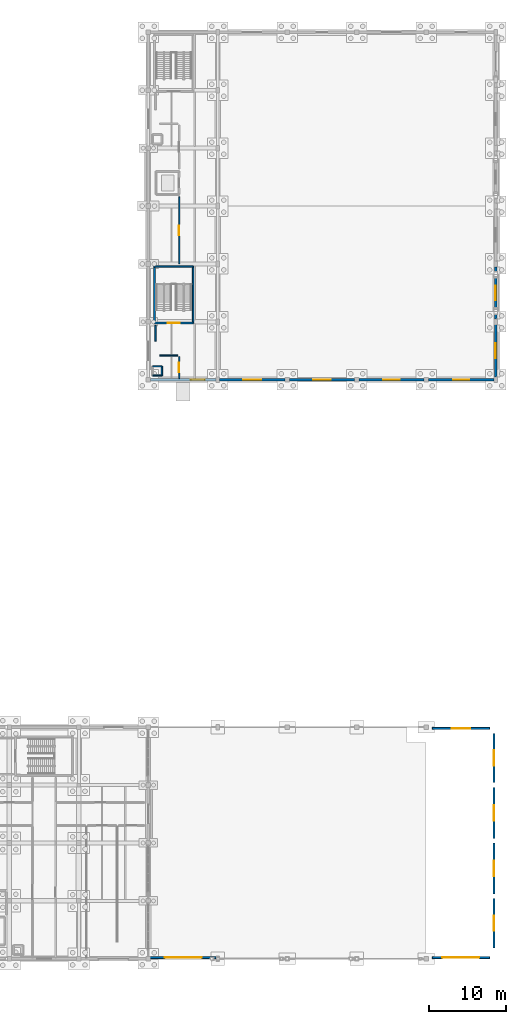
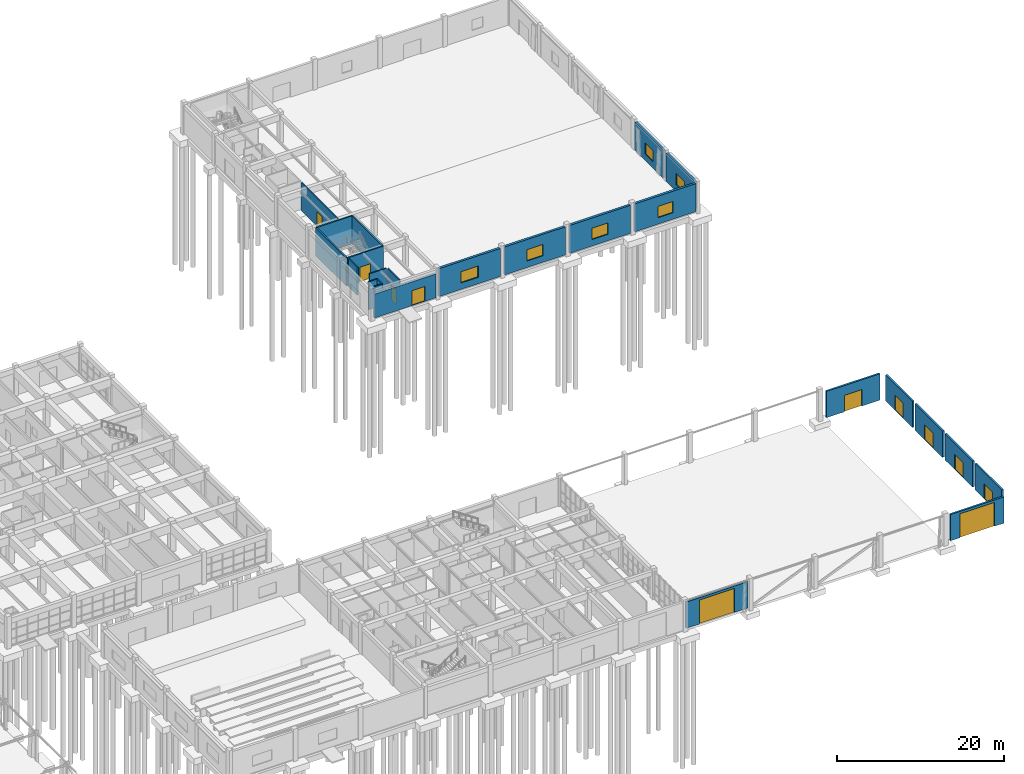
# One storey, part 87 of 93: 25 walls, 11 doors, 6 windows, 17 openings.
"""IFC4 building model written with IfcOpenShell, lengths in metres."""

from ifc_helpers import new_model, si_unit, direction, frame, frame_2d, origin, place, context, subcontext, project, spatial, rectangle, extrude, material, layer, layer_set, type_object, element, fill, save


model = new_model("IFC4")

# Units and contexts
model_context = context("Model", 3, precision=1e-05, world=origin(), true_north=direction((0.0, 1.0)))
body_context = subcontext(model_context, "Body", "Model", "MODEL_VIEW")
ifc_project = project(units=[si_unit("LENGTHUNIT", "METRE"), si_unit("AREAUNIT", "SQUARE_METRE"), si_unit("VOLUMEUNIT", "CUBIC_METRE"), si_unit("PLANEANGLEUNIT", "RADIAN"), si_unit("MASSUNIT", "GRAM", prefix="KILO")], contexts=[model_context])

# Site, building, storey
site_placement = place(None, origin())
site = spatial("IfcSite", under=ifc_project, at=site_placement, CompositionType="ELEMENT")
building_placement = place(site_placement, origin())
building = spatial("IfcBuilding", under=site, at=building_placement, Name="Marnridge Secondary College", CompositionType="ELEMENT")
storey_placement = place(building_placement, origin())
storey = spatial("IfcBuildingStorey", under=building, at=storey_placement, Name="L00", CompositionType="ELEMENT", Elevation=0.0)

# Wall, opening, door
ifc_material_1 = material(Name="Concrete C40/50 (AS 3600 N40, 40 MPa)", Category="concrete")
ifc_layer_1 = layer(ifc_material_1, 0.199951171875)
ifc_layer_set_1 = layer_set([ifc_layer_1], Name="WT-CORE-RC200")
wall_type_1 = type_object("IfcWallType", Name="WT-CORE-RC200", PredefinedType="SHEAR", material=ifc_layer_set_1)
wall_1_placement = place(storey_placement, frame((131.800048828125, 82.35009765625, 0.0), z_axis=(0.0, 0.0, 1.0), x_axis=(-1.0, 0.0, 0.0)))
wall_1 = element("IfcWall", 1, at=wall_1_placement, inside=storey, type_object=wall_type_1, Name="Stair core shear wall WC-L00-0393", PredefinedType="SHEAR", context=body_context, shape_type="SweptSolid", body=[
    extrude(rectangle(XDim=5.0, YDim=0.199951171875, at=frame_2d((2.5, 0.0))), origin(), (0.0, 0.0, 1.0), 4.10009765625),
])
opening_1_placement = place(wall_1_placement, frame((1.75, 0.0, 0.0)))
opening_1 = element("IfcOpeningElement", 2, at=opening_1_placement, cuts=wall_1, Name="Opening DC-L00-037", PredefinedType="OPENING", context=body_context, shape_type="SweptSolid", body=[
    extrude(rectangle(XDim=1.5, YDim=2.14990234375, at=frame_2d((0.75, 1.074951171875))), frame((0.0, 0.10986328125, 0.0), z_axis=(0.0, -1.0, 0.0), x_axis=(1.0, 0.0, 0.0)), (0.0, 0.0, 1.0), 0.219970703125),
])
ifc_material_2 = material(Name="Fire-rated solid-core timber doorset", Category="wood")
door_type_1 = type_object("IfcDoorType", Name="DT-CORE-FD150", OperationType="DOUBLE_DOOR_SINGLE_SWING", PredefinedType="DOOR", material=ifc_material_2)
door_1_placement = place(opening_1_placement, origin())
door_1 = element("IfcDoor", 3, at=door_1_placement, inside=storey, type_object=door_type_1, Name="Fire stair door DC-L00-037", OperationType="DOUBLE_DOOR_SINGLE_SWING", OverallHeight=2.14990234375, OverallWidth=1.5, PredefinedType="DOOR", context=body_context, shape_type="SweptSolid", body=[
    extrude(rectangle(XDim=1.5, YDim=2.14990234375, at=frame_2d((0.75, 1.074951171875))), frame((0.0, 0.02490234375, 0.0), z_axis=(0.0, -1.0, 0.0), x_axis=(1.0, 0.0, 0.0)), (0.0, 0.0, 1.0), 0.050048828125),
])
fill(opening_1, door_1)

# Walls
wall_2_placement = place(storey_placement, frame((131.800048828125, 82.35009765625, 0.0), z_axis=(0.0, 0.0, 1.0), x_axis=(0.0, 1.0, 0.0)))
element("IfcWall", 4, at=wall_2_placement, inside=storey, type_object=wall_type_1, Name="Stair core shear wall WC-L00-0394", PredefinedType="SHEAR", context=body_context, shape_type="SweptSolid", body=[
    extrude(rectangle(XDim=7.349853515625, YDim=0.199951171875, at=frame_2d((3.6748046875, 0.0))), origin(), (0.0, 0.0, 1.0), 4.10009765625),
])
wall_3_placement = place(storey_placement, frame((131.800048828125, 89.699951171875, 0.0), z_axis=(0.0, 0.0, 1.0), x_axis=(-1.0, 0.0, 0.0)))
element("IfcWall", 5, at=wall_3_placement, inside=storey, type_object=wall_type_1, Name="Stair core shear wall WC-L00-0395", PredefinedType="SHEAR", context=body_context, shape_type="SweptSolid", body=[
    extrude(rectangle(XDim=5.0, YDim=0.199951171875, at=frame_2d((2.5, 0.0))), origin(), (0.0, 0.0, 1.0), 4.10009765625),
])
wall_4_placement = place(storey_placement, frame((126.800048828125, 89.699951171875, 0.0), z_axis=(0.0, 0.0, 1.0), x_axis=(0.0, -1.0, 0.0)))
element("IfcWall", 6, at=wall_4_placement, inside=storey, type_object=wall_type_1, Name="Stair core shear wall WC-L00-0396", PredefinedType="SHEAR", context=body_context, shape_type="SweptSolid", body=[
    extrude(rectangle(XDim=7.349853515625, YDim=0.199951171875, at=frame_2d((3.6748046875, 0.0))), origin(), (0.0, 0.0, 1.0), 4.10009765625),
])

# Wall, opening, door
ifc_material_3 = material(Name="Concrete C40/50 (AS 3600 N40, 40 MPa)", Category="concrete")
ifc_layer_2 = layer(ifc_material_3, 0.25)
ifc_layer_set_2 = layer_set([ifc_layer_2], Name="WT-EXT-RC250")
wall_type_2 = type_object("IfcWallType", Name="WT-EXT-RC250", PredefinedType="SOLIDWALL", material=ifc_layer_set_2)
wall_5_placement = place(storey_placement, frame((134.800048828125, 0.14990234375, 0.0), z_axis=(0.0, 0.0, 1.0), x_axis=(-1.0, 0.0, 0.0)))
wall_5 = element("IfcWall", 7, at=wall_5_placement, inside=storey, type_object=wall_type_2, Name="Undercroft portal wall WE-LOOP-S1", PredefinedType="SOLIDWALL", context=body_context, shape_type="SweptSolid", body=[
    extrude(rectangle(XDim=8.60009765625, YDim=0.25, at=frame_2d((4.300048828125, 0.0))), origin(), (0.0, 0.0, 1.0), 3.85009765625),
])
opening_2_placement = place(wall_5_placement, frame((1.89990234375, 0.0, 0.0)))
opening_2 = element("IfcOpeningElement", 8, at=opening_2_placement, cuts=wall_5, Name="Opening VP-01", PredefinedType="OPENING", context=body_context, shape_type="SweptSolid", body=[
    extrude(rectangle(XDim=4.800048828125, YDim=3.5, at=frame_2d((2.39990234375, 1.75))), frame((0.0, 0.135009765625, 0.0), z_axis=(0.0, -1.0, 0.0), x_axis=(1.0, 0.0, 0.0)), (0.0, 0.0, 1.0), 0.27001953125),
])
ifc_material_4 = material(Name="Perforated powder-coated aluminium vehicle portal gate", Category="aluminium")
door_type_2 = type_object("IfcDoorType", Name="GT-VEH-480", OperationType="SLIDING_TO_LEFT", PredefinedType="GATE", material=ifc_material_4)
door_2_placement = place(opening_2_placement, origin())
door_2 = element("IfcDoor", 9, at=door_2_placement, inside=storey, type_object=door_type_2, Name="Vehicle loop entry portal VP-01", OperationType="SLIDING_TO_LEFT", OverallHeight=3.5, OverallWidth=4.800048828125, PredefinedType="GATE", context=body_context, shape_type="SweptSolid", body=[
    extrude(rectangle(XDim=4.800048828125, YDim=3.5, at=frame_2d((2.39990234375, 1.75))), frame((0.0, 0.02490234375, 0.0), z_axis=(0.0, -1.0, 0.0), x_axis=(1.0, 0.0, 0.0)), (0.0, 0.0, 1.0), 0.050048828125),
])
fill(opening_2, door_2)

wall_6_placement = place(storey_placement, frame((170.199951171875, 0.14990234375, 0.0), z_axis=(0.0, 0.0, 1.0), x_axis=(-1.0, 0.0, 0.0)))
wall_6 = element("IfcWall", 10, at=wall_6_placement, inside=storey, type_object=wall_type_2, Name="Undercroft portal wall WE-LOOP-S2", PredefinedType="SOLIDWALL", context=body_context, shape_type="SweptSolid", body=[
    extrude(rectangle(XDim=7.39990234375, YDim=0.25, at=frame_2d((3.699951171875, 0.0))), origin(), (0.0, 0.0, 1.0), 3.85009765625),
])
opening_3_placement = place(wall_6_placement, frame((1.300048828125, 0.0, 0.0)))
opening_3 = element("IfcOpeningElement", 11, at=opening_3_placement, cuts=wall_6, Name="Opening VP-02", PredefinedType="OPENING", context=body_context, shape_type="SweptSolid", body=[
    extrude(rectangle(XDim=4.800048828125, YDim=3.5, at=frame_2d((2.39990234375, 1.75))), frame((0.0, 0.135009765625, 0.0), z_axis=(0.0, -1.0, 0.0), x_axis=(1.0, 0.0, 0.0)), (0.0, 0.0, 1.0), 0.27001953125),
])
door_3_placement = place(opening_3_placement, origin())
door_3 = element("IfcDoor", 12, at=door_3_placement, inside=storey, type_object=door_type_2, Name="Vehicle loop exit portal VP-02", OperationType="SLIDING_TO_LEFT", OverallHeight=3.5, OverallWidth=4.800048828125, PredefinedType="GATE", context=body_context, shape_type="SweptSolid", body=[
    extrude(rectangle(XDim=4.800048828125, YDim=3.5, at=frame_2d((2.39990234375, 1.75))), frame((0.0, 0.02490234375, 0.0), z_axis=(0.0, -1.0, 0.0), x_axis=(1.0, 0.0, 0.0)), (0.0, 0.0, 1.0), 0.050048828125),
])
fill(opening_3, door_3)

wall_7_placement = place(storey_placement, frame((170.800048828125, 29.199951171875, 0.0), z_axis=(0.0, 0.0, 1.0), x_axis=(0.0, -1.0, 0.0)))
wall_7 = element("IfcWall", 13, at=wall_7_placement, inside=storey, type_object=wall_type_2, Name="Undercroft portal wall WE-LOOP-E1", PredefinedType="SOLIDWALL", context=body_context, shape_type="SweptSolid", body=[
    extrude(rectangle(XDim=6.39990234375, YDim=0.25, at=frame_2d((3.199951171875, 0.0))), origin(), (0.0, 0.0, 1.0), 3.85009765625),
])
opening_4_placement = place(wall_7_placement, frame((2.199951171875, 0.0, 0.0)))
opening_4 = element("IfcOpeningElement", 14, at=opening_4_placement, cuts=wall_7, Name="Opening GT-04", PredefinedType="OPENING", context=body_context, shape_type="SweptSolid", body=[
    extrude(rectangle(XDim=2.0, YDim=2.199951171875, at=frame_2d((1.0, 1.10009765625))), frame((0.0, 0.135009765625, 0.0), z_axis=(0.0, -1.0, 0.0), x_axis=(1.0, 0.0, 0.0)), (0.0, 0.0, 1.0), 0.27001953125),
])
ifc_material_5 = material(Name="Powder-coated steel Grade 350 plant yard gate", Category="steel")
door_type_3 = type_object("IfcDoorType", Name="GT-YARD-200", OperationType="DOUBLE_DOOR_SINGLE_SWING", PredefinedType="GATE", material=ifc_material_5)
door_4_placement = place(opening_4_placement, origin())
door_4 = element("IfcDoor", 15, at=door_4_placement, inside=storey, type_object=door_type_3, Name="Service yard gate GT-04", OperationType="DOUBLE_DOOR_SINGLE_SWING", OverallHeight=2.199951171875, OverallWidth=2.0, PredefinedType="GATE", context=body_context, shape_type="SweptSolid", body=[
    extrude(rectangle(XDim=2.0, YDim=2.199951171875, at=frame_2d((1.0, 1.10009765625))), frame((0.0, 0.02490234375, 0.0), z_axis=(0.0, -1.0, 0.0), x_axis=(1.0, 0.0, 0.0)), (0.0, 0.0, 1.0), 0.050048828125),
])
fill(opening_4, door_4)

wall_8_placement = place(storey_placement, frame((170.800048828125, 22.199951171875, 0.0), z_axis=(0.0, 0.0, 1.0), x_axis=(0.0, -1.0, 0.0)))
wall_8 = element("IfcWall", 16, at=wall_8_placement, inside=storey, type_object=wall_type_2, Name="Undercroft portal wall WE-LOOP-E2", PredefinedType="SOLIDWALL", context=body_context, shape_type="SweptSolid", body=[
    extrude(rectangle(XDim=6.599853515625, YDim=0.25, at=frame_2d((3.2998046875, 0.0))), origin(), (0.0, 0.0, 1.0), 3.85009765625),
])
opening_5_placement = place(wall_8_placement, frame((2.300048828125, 0.0, 0.0)))
opening_5 = element("IfcOpeningElement", 17, at=opening_5_placement, cuts=wall_8, Name="Opening GT-05", PredefinedType="OPENING", context=body_context, shape_type="SweptSolid", body=[
    extrude(rectangle(XDim=2.0, YDim=2.199951171875, at=frame_2d((1.0, 1.10009765625))), frame((0.0, 0.135009765625, 0.0), z_axis=(0.0, -1.0, 0.0), x_axis=(1.0, 0.0, 0.0)), (0.0, 0.0, 1.0), 0.27001953125),
])
door_5_placement = place(opening_5_placement, origin())
door_5 = element("IfcDoor", 18, at=door_5_placement, inside=storey, type_object=door_type_3, Name="Service yard gate GT-05", OperationType="DOUBLE_DOOR_SINGLE_SWING", OverallHeight=2.199951171875, OverallWidth=2.0, PredefinedType="GATE", context=body_context, shape_type="SweptSolid", body=[
    extrude(rectangle(XDim=2.0, YDim=2.199951171875, at=frame_2d((1.0, 1.10009765625))), frame((0.0, 0.02490234375, 0.0), z_axis=(0.0, -1.0, 0.0), x_axis=(1.0, 0.0, 0.0)), (0.0, 0.0, 1.0), 0.050048828125),
])
fill(opening_5, door_5)

wall_9_placement = place(storey_placement, frame((170.800048828125, 15.0, 0.0), z_axis=(0.0, 0.0, 1.0), x_axis=(0.0, -1.0, 0.0)))
wall_9 = element("IfcWall", 19, at=wall_9_placement, inside=storey, type_object=wall_type_2, Name="Undercroft portal wall WE-LOOP-E3", PredefinedType="SOLIDWALL", context=body_context, shape_type="SweptSolid", body=[
    extrude(rectangle(XDim=6.60009765625, YDim=0.25, at=frame_2d((3.300048828125, 0.0))), origin(), (0.0, 0.0, 1.0), 3.85009765625),
])
opening_6_placement = place(wall_9_placement, frame((2.300048828125, 0.0, 0.0)))
opening_6 = element("IfcOpeningElement", 20, at=opening_6_placement, cuts=wall_9, Name="Opening GT-06", PredefinedType="OPENING", context=body_context, shape_type="SweptSolid", body=[
    extrude(rectangle(XDim=2.0, YDim=2.199951171875, at=frame_2d((1.0, 1.10009765625))), frame((0.0, 0.135009765625, 0.0), z_axis=(0.0, -1.0, 0.0), x_axis=(1.0, 0.0, 0.0)), (0.0, 0.0, 1.0), 0.27001953125),
])
door_6_placement = place(opening_6_placement, origin())
door_6 = element("IfcDoor", 21, at=door_6_placement, inside=storey, type_object=door_type_3, Name="Plant compound gate GT-06", OperationType="DOUBLE_DOOR_SINGLE_SWING", OverallHeight=2.199951171875, OverallWidth=2.0, PredefinedType="GATE", context=body_context, shape_type="SweptSolid", body=[
    extrude(rectangle(XDim=2.0, YDim=2.199951171875, at=frame_2d((1.0, 1.10009765625))), frame((0.0, 0.02490234375, 0.0), z_axis=(0.0, -1.0, 0.0), x_axis=(1.0, 0.0, 0.0)), (0.0, 0.0, 1.0), 0.050048828125),
])
fill(opening_6, door_6)

wall_10_placement = place(storey_placement, frame((170.800048828125, 7.800048828125, 0.0), z_axis=(0.0, 0.0, 1.0), x_axis=(0.0, -1.0, 0.0)))
wall_10 = element("IfcWall", 22, at=wall_10_placement, inside=storey, type_object=wall_type_2, Name="Undercroft portal wall WE-LOOP-E4", PredefinedType="SOLIDWALL", context=body_context, shape_type="SweptSolid", body=[
    extrude(rectangle(XDim=6.400146484375, YDim=0.25, at=frame_2d((3.2001953125, 0.0))), origin(), (0.0, 0.0, 1.0), 3.85009765625),
])
opening_7_placement = place(wall_10_placement, frame((2.199951171875, 0.0, 0.0)))
opening_7 = element("IfcOpeningElement", 23, at=opening_7_placement, cuts=wall_10, Name="Opening GT-08", PredefinedType="OPENING", context=body_context, shape_type="SweptSolid", body=[
    extrude(rectangle(XDim=2.0, YDim=2.199951171875, at=frame_2d((1.0, 1.10009765625))), frame((0.0, 0.135009765625, 0.0), z_axis=(0.0, -1.0, 0.0), x_axis=(1.0, 0.0, 0.0)), (0.0, 0.0, 1.0), 0.27001953125),
])
door_7_placement = place(opening_7_placement, origin())
door_7 = element("IfcDoor", 24, at=door_7_placement, inside=storey, type_object=door_type_3, Name="Refuse yard gate GT-08", OperationType="DOUBLE_DOOR_SINGLE_SWING", OverallHeight=2.199951171875, OverallWidth=2.0, PredefinedType="GATE", context=body_context, shape_type="SweptSolid", body=[
    extrude(rectangle(XDim=2.0, YDim=2.199951171875, at=frame_2d((1.0, 1.10009765625))), frame((0.0, 0.02490234375, 0.0), z_axis=(0.0, -1.0, 0.0), x_axis=(1.0, 0.0, 0.0)), (0.0, 0.0, 1.0), 0.050048828125),
])
fill(opening_7, door_7)

wall_11_placement = place(storey_placement, frame((162.800048828125, 29.85009765625, 0.0), z_axis=(0.0, 0.0, 1.0), x_axis=(1.0, 0.0, 0.0)))
wall_11 = element("IfcWall", 25, at=wall_11_placement, inside=storey, type_object=wall_type_2, Name="Undercroft portal wall WE-LOOP-N1", PredefinedType="SOLIDWALL", context=body_context, shape_type="SweptSolid", body=[
    extrude(rectangle(XDim=7.39990234375, YDim=0.25, at=frame_2d((3.699951171875, 0.0))), origin(), (0.0, 0.0, 1.0), 3.85009765625),
])
opening_8_placement = place(wall_11_placement, frame((2.5, 0.0, 0.0)))
opening_8 = element("IfcOpeningElement", 26, at=opening_8_placement, cuts=wall_11, Name="Opening GT-07", PredefinedType="OPENING", context=body_context, shape_type="SweptSolid", body=[
    extrude(rectangle(XDim=2.39990234375, YDim=2.39990234375, at=frame_2d((1.199951171875, 1.199951171875))), frame((0.0, 0.135009765625, 0.0), z_axis=(0.0, -1.0, 0.0), x_axis=(1.0, 0.0, 0.0)), (0.0, 0.0, 1.0), 0.27001953125),
])
ifc_material_6 = material(Name="Galvanised steel Grade 350 bicycle hub security gate", Category="steel")
door_type_4 = type_object("IfcDoorType", Name="GT-BIKE-240", OperationType="DOUBLE_DOOR_SINGLE_SWING", PredefinedType="GATE", material=ifc_material_6)
door_8_placement = place(opening_8_placement, origin())
door_8 = element("IfcDoor", 27, at=door_8_placement, inside=storey, type_object=door_type_4, Name="Cycle compound gate GT-07", OperationType="DOUBLE_DOOR_SINGLE_SWING", OverallHeight=2.39990234375, OverallWidth=2.39990234375, PredefinedType="GATE", context=body_context, shape_type="SweptSolid", body=[
    extrude(rectangle(XDim=2.39990234375, YDim=2.39990234375, at=frame_2d((1.199951171875, 1.199951171875))), frame((0.0, 0.02490234375, 0.0), z_axis=(0.0, -1.0, 0.0), x_axis=(1.0, 0.0, 0.0)), (0.0, 0.0, 1.0), 0.050048828125),
])
fill(opening_8, door_8)

# Wall, opening, window
ifc_material_7 = material(Name="Concrete C40/50 (AS 3600 N40, 40 MPa)", Category="concrete")
ifc_layer_3 = layer(ifc_material_7, 0.320068359375)
ifc_layer_set_3 = layer_set([ifc_layer_3], Name="WT-EXT-RC320")
wall_type_3 = type_object("IfcWallType", Name="WT-EXT-RC320", PredefinedType="SOLIDWALL", material=ifc_layer_set_3)
wall_12_placement = place(storey_placement, frame((171.0, 89.62890625, 0.0), z_axis=(0.0, 0.0, 1.0), x_axis=(0.0, -1.0, 0.0)))
wall_12 = element("IfcWall", 28, at=wall_12_placement, inside=storey, type_object=wall_type_3, Name="Exterior wall WE-L00-0022", PredefinedType="SOLIDWALL", context=body_context, shape_type="SweptSolid", body=[
    extrude(rectangle(XDim=6.7578125, YDim=0.320068359375, at=frame_2d((3.37890625, 0.0))), origin(), (0.0, 0.0, 1.0), 4.10009765625),
])
opening_9_placement = place(wall_12_placement, frame((2.43896484375, 0.0, 0.949951171875)))
opening_9 = element("IfcOpeningElement", 29, at=opening_9_placement, cuts=wall_12, Name="Opening WN-L00-0008", PredefinedType="OPENING", context=body_context, shape_type="SweptSolid", body=[
    extrude(rectangle(XDim=1.8798828125, YDim=1.6201171875, at=frame_2d((0.93994140625, 0.81005859375))), frame((0.0, 0.169921875, 0.0), z_axis=(0.0, -1.0, 0.0), x_axis=(1.0, 0.0, 0.0)), (0.0, 0.0, 1.0), 0.340087890625),
])
ifc_material_8 = material(Name="Solar-control low-E double glazing", Category="glass")
window_type_1 = type_object("IfcWindowType", Name="WN-EXT-V08", PartitioningType="DOUBLE_PANEL_VERTICAL", PredefinedType="WINDOW", material=ifc_material_8)
window_1_placement = place(opening_9_placement, origin())
window_1 = element("IfcWindow", 30, at=window_1_placement, inside=storey, type_object=window_type_1, Name="Facade window WN-L00-0008", OverallHeight=1.6201171875, OverallWidth=1.8798828125, PartitioningType="DOUBLE_PANEL_VERTICAL", PredefinedType="WINDOW", context=body_context, shape_type="SweptSolid", body=[
    extrude(rectangle(XDim=1.8798828125, YDim=1.6201171875, at=frame_2d((0.93994140625, 0.81005859375))), frame((0.0, 0.030029296875, 0.0), z_axis=(0.0, -1.0, 0.0), x_axis=(1.0, 0.0, 0.0)), (0.0, 0.0, 1.0), 0.06005859375),
])
fill(opening_9, window_1)

wall_13_placement = place(storey_placement, frame((171.0, 82.12890625, 0.0), z_axis=(0.0, 0.0, 1.0), x_axis=(0.0, -1.0, 0.0)))
wall_13 = element("IfcWall", 31, at=wall_13_placement, inside=storey, type_object=wall_type_3, Name="Exterior wall WE-L00-0023", PredefinedType="SOLIDWALL", context=body_context, shape_type="SweptSolid", body=[
    extrude(rectangle(XDim=6.7578125, YDim=0.320068359375, at=frame_2d((3.37890625, 0.0))), origin(), (0.0, 0.0, 1.0), 4.10009765625),
])
opening_10_placement = place(wall_13_placement, frame((2.388916015625, 0.0, 0.949951171875)))
opening_10 = element("IfcOpeningElement", 32, at=opening_10_placement, cuts=wall_13, Name="Opening WN-L00-0009", PredefinedType="OPENING", context=body_context, shape_type="SweptSolid", body=[
    extrude(rectangle(XDim=1.97998046875, YDim=1.639892578125, at=frame_2d((0.989990234375, 0.81982421875))), frame((0.0, 0.169921875, 0.0), z_axis=(0.0, -1.0, 0.0), x_axis=(1.0, 0.0, 0.0)), (0.0, 0.0, 1.0), 0.340087890625),
])
ifc_material_9 = material(Name="Solar-control low-E double glazing", Category="glass")
window_type_2 = type_object("IfcWindowType", Name="WN-EXT-V09", PartitioningType="DOUBLE_PANEL_VERTICAL", PredefinedType="WINDOW", material=ifc_material_9)
window_2_placement = place(opening_10_placement, origin())
window_2 = element("IfcWindow", 33, at=window_2_placement, inside=storey, type_object=window_type_2, Name="Facade window WN-L00-0009", OverallHeight=1.639892578125, OverallWidth=1.97998046875, PartitioningType="DOUBLE_PANEL_VERTICAL", PredefinedType="WINDOW", context=body_context, shape_type="SweptSolid", body=[
    extrude(rectangle(XDim=1.97998046875, YDim=1.639892578125, at=frame_2d((0.989990234375, 0.81982421875))), frame((0.0, 0.030029296875, 0.0), z_axis=(0.0, -1.0, 0.0), x_axis=(1.0, 0.0, 0.0)), (0.0, 0.0, 1.0), 0.06005859375),
])
fill(opening_10, window_2)

wall_14_placement = place(storey_placement, frame((170.779052734375, 75.0, 0.0), z_axis=(0.0, 0.0, 1.0), x_axis=(-1.0, 0.0, 0.0)))
wall_14 = element("IfcWall", 34, at=wall_14_placement, inside=storey, type_object=wall_type_3, Name="Exterior wall WE-L00-0024", PredefinedType="SOLIDWALL", context=body_context, shape_type="SweptSolid", body=[
    extrude(rectangle(XDim=8.483154296875, YDim=0.320068359375, at=frame_2d((4.24169921875, 0.0))), origin(), (0.0, 0.0, 1.0), 4.10009765625),
])
opening_11_placement = place(wall_14_placement, frame((3.201416015625, 0.0, 0.949951171875)))
opening_11 = element("IfcOpeningElement", 35, at=opening_11_placement, cuts=wall_14, Name="Opening WN-L00-0010", PredefinedType="OPENING", context=body_context, shape_type="SweptSolid", body=[
    extrude(rectangle(XDim=2.080078125, YDim=1.64990234375, at=frame_2d((1.0400390625, 0.824951171875))), frame((0.0, 0.169921875, 0.0), z_axis=(0.0, -1.0, 0.0), x_axis=(1.0, 0.0, 0.0)), (0.0, 0.0, 1.0), 0.340087890625),
])
ifc_material_10 = material(Name="Solar-control low-E double glazing", Category="glass")
window_type_3 = type_object("IfcWindowType", Name="WN-EXT-V10", PartitioningType="DOUBLE_PANEL_VERTICAL", PredefinedType="WINDOW", material=ifc_material_10)
window_3_placement = place(opening_11_placement, origin())
window_3 = element("IfcWindow", 36, at=window_3_placement, inside=storey, type_object=window_type_3, Name="Facade window WN-L00-0010", OverallHeight=1.64990234375, OverallWidth=2.080078125, PartitioningType="DOUBLE_PANEL_VERTICAL", PredefinedType="WINDOW", context=body_context, shape_type="SweptSolid", body=[
    extrude(rectangle(XDim=2.080078125, YDim=1.64990234375, at=frame_2d((1.0400390625, 0.824951171875))), frame((0.0, 0.030029296875, 0.0), z_axis=(0.0, -1.0, 0.0), x_axis=(1.0, 0.0, 0.0)), (0.0, 0.0, 1.0), 0.06005859375),
])
fill(opening_11, window_3)

wall_15_placement = place(storey_placement, frame((161.7041015625, 75.0, 0.0), z_axis=(0.0, 0.0, 1.0), x_axis=(-1.0, 0.0, 0.0)))
wall_15 = element("IfcWall", 37, at=wall_15_placement, inside=storey, type_object=wall_type_3, Name="Exterior wall WE-L00-0025", PredefinedType="SOLIDWALL", context=body_context, shape_type="SweptSolid", body=[
    extrude(rectangle(XDim=8.408203125, YDim=0.320068359375, at=frame_2d((4.2041015625, 0.0))), origin(), (0.0, 0.0, 1.0), 4.10009765625),
])
opening_12_placement = place(wall_15_placement, frame((3.114013671875, 0.0, 0.949951171875)))
opening_12 = element("IfcOpeningElement", 38, at=opening_12_placement, cuts=wall_15, Name="Opening WN-L00-0011", PredefinedType="OPENING", context=body_context, shape_type="SweptSolid", body=[
    extrude(rectangle(XDim=2.179931640625, YDim=1.659912109375, at=frame_2d((1.08984375, 0.830078125))), frame((0.0, 0.169921875, 0.0), z_axis=(0.0, -1.0, 0.0), x_axis=(1.0, 0.0, 0.0)), (0.0, 0.0, 1.0), 0.340087890625),
])
ifc_material_11 = material(Name="Solar-control low-E double glazing", Category="glass")
window_type_4 = type_object("IfcWindowType", Name="WN-EXT-V11", PartitioningType="DOUBLE_PANEL_VERTICAL", PredefinedType="WINDOW", material=ifc_material_11)
window_4_placement = place(opening_12_placement, origin())
window_4 = element("IfcWindow", 39, at=window_4_placement, inside=storey, type_object=window_type_4, Name="Facade window WN-L00-0011", OverallHeight=1.659912109375, OverallWidth=2.179931640625, PartitioningType="DOUBLE_PANEL_VERTICAL", PredefinedType="WINDOW", context=body_context, shape_type="SweptSolid", body=[
    extrude(rectangle(XDim=2.179931640625, YDim=1.659912109375, at=frame_2d((1.08984375, 0.830078125))), frame((0.0, 0.030029296875, 0.0), z_axis=(0.0, -1.0, 0.0), x_axis=(1.0, 0.0, 0.0)), (0.0, 0.0, 1.0), 0.06005859375),
])
fill(opening_12, window_4)

wall_16_placement = place(storey_placement, frame((152.7041015625, 75.0, 0.0), z_axis=(0.0, 0.0, 1.0), x_axis=(-1.0, 0.0, 0.0)))
wall_16 = element("IfcWall", 40, at=wall_16_placement, inside=storey, type_object=wall_type_3, Name="Exterior wall WE-L00-0026", PredefinedType="SOLIDWALL", context=body_context, shape_type="SweptSolid", body=[
    extrude(rectangle(XDim=8.408203125, YDim=0.320068359375, at=frame_2d((4.2041015625, 0.0))), origin(), (0.0, 0.0, 1.0), 4.10009765625),
])
opening_13_placement = place(wall_16_placement, frame((3.06396484375, 0.0, 0.949951171875)))
opening_13 = element("IfcOpeningElement", 41, at=opening_13_placement, cuts=wall_16, Name="Opening WN-L00-0012", PredefinedType="OPENING", context=body_context, shape_type="SweptSolid", body=[
    extrude(rectangle(XDim=2.280029296875, YDim=1.659912109375, at=frame_2d((1.14013671875, 0.830078125))), frame((0.0, 0.169921875, 0.0), z_axis=(0.0, -1.0, 0.0), x_axis=(1.0, 0.0, 0.0)), (0.0, 0.0, 1.0), 0.340087890625),
])
ifc_material_12 = material(Name="Solar-control low-E double glazing", Category="glass")
window_type_5 = type_object("IfcWindowType", Name="WN-EXT-V12", PartitioningType="DOUBLE_PANEL_VERTICAL", PredefinedType="WINDOW", material=ifc_material_12)
window_5_placement = place(opening_13_placement, origin())
window_5 = element("IfcWindow", 42, at=window_5_placement, inside=storey, type_object=window_type_5, Name="Facade window WN-L00-0012", OverallHeight=1.659912109375, OverallWidth=2.280029296875, PartitioningType="DOUBLE_PANEL_VERTICAL", PredefinedType="WINDOW", context=body_context, shape_type="SweptSolid", body=[
    extrude(rectangle(XDim=2.280029296875, YDim=1.659912109375, at=frame_2d((1.14013671875, 0.830078125))), frame((0.0, 0.030029296875, 0.0), z_axis=(0.0, -1.0, 0.0), x_axis=(1.0, 0.0, 0.0)), (0.0, 0.0, 1.0), 0.06005859375),
])
fill(opening_13, window_5)

wall_17_placement = place(storey_placement, frame((143.7041015625, 75.0, 0.0), z_axis=(0.0, 0.0, 1.0), x_axis=(-1.0, 0.0, 0.0)))
wall_17 = element("IfcWall", 43, at=wall_17_placement, inside=storey, type_object=wall_type_3, Name="Exterior wall WE-L00-0027", PredefinedType="SOLIDWALL", context=body_context, shape_type="SweptSolid", body=[
    extrude(rectangle(XDim=8.483154296875, YDim=0.320068359375, at=frame_2d((4.24169921875, 0.0))), origin(), (0.0, 0.0, 1.0), 4.10009765625),
])
opening_14_placement = place(wall_17_placement, frame((3.051513671875, 0.0, 0.949951171875)))
opening_14 = element("IfcOpeningElement", 44, at=opening_14_placement, cuts=wall_17, Name="Opening WN-L00-0013", PredefinedType="OPENING", context=body_context, shape_type="SweptSolid", body=[
    extrude(rectangle(XDim=2.3798828125, YDim=1.64990234375, at=frame_2d((1.18994140625, 0.824951171875))), frame((0.0, 0.169921875, 0.0), z_axis=(0.0, -1.0, 0.0), x_axis=(1.0, 0.0, 0.0)), (0.0, 0.0, 1.0), 0.340087890625),
])
ifc_material_13 = material(Name="Solar-control low-E double glazing", Category="glass")
window_type_6 = type_object("IfcWindowType", Name="WN-EXT-V13", PartitioningType="DOUBLE_PANEL_VERTICAL", PredefinedType="WINDOW", material=ifc_material_13)
window_6_placement = place(opening_14_placement, origin())
window_6 = element("IfcWindow", 45, at=window_6_placement, inside=storey, type_object=window_type_6, Name="Facade window WN-L00-0013", OverallHeight=1.64990234375, OverallWidth=2.3798828125, PartitioningType="DOUBLE_PANEL_VERTICAL", PredefinedType="WINDOW", context=body_context, shape_type="SweptSolid", body=[
    extrude(rectangle(XDim=2.3798828125, YDim=1.64990234375, at=frame_2d((1.18994140625, 0.824951171875))), frame((0.0, 0.030029296875, 0.0), z_axis=(0.0, -1.0, 0.0), x_axis=(1.0, 0.0, 0.0)), (0.0, 0.0, 1.0), 0.06005859375),
])
fill(opening_14, window_6)

# Wall, opening, door
wall_18_placement = place(storey_placement, frame((134.779052734375, 75.0, 0.0), z_axis=(0.0, 0.0, 1.0), x_axis=(-1.0, 0.0, 0.0)))
wall_18 = element("IfcWall", 46, at=wall_18_placement, inside=storey, type_object=wall_type_3, Name="Exterior wall WE-L00-0028", PredefinedType="SOLIDWALL", context=body_context, shape_type="SweptSolid", body=[
    extrude(rectangle(XDim=8.483154296875, YDim=0.320068359375, at=frame_2d((4.24169921875, 0.0))), origin(), (0.0, 0.0, 1.0), 3.491943359375),
])
opening_15_placement = place(wall_18_placement, frame((1.47900390625, 0.0, 0.0)))
opening_15 = element("IfcOpeningElement", 47, at=opening_15_placement, cuts=wall_18, Name="Opening DE-L00-009", PredefinedType="OPENING", context=body_context, shape_type="SweptSolid", body=[
    extrude(rectangle(XDim=1.800048828125, YDim=2.199951171875, at=frame_2d((0.89990234375, 1.10009765625))), frame((0.0, 0.169921875, 0.0), z_axis=(0.0, -1.0, 0.0), x_axis=(1.0, 0.0, 0.0)), (0.0, 0.0, 1.0), 0.340087890625),
])
ifc_material_14 = material(Name="Thermally broken timber-aluminium terrace doorset", Category="wood")
door_type_5 = type_object("IfcDoorType", Name="DT-EXT-TER180", OperationType="DOUBLE_DOOR_SINGLE_SWING", PredefinedType="DOOR", material=ifc_material_14)
door_9_placement = place(opening_15_placement, origin())
door_9 = element("IfcDoor", 48, at=door_9_placement, inside=storey, type_object=door_type_5, Name="Final exit stair door DE-L00-009", OperationType="DOUBLE_DOOR_SINGLE_SWING", OverallHeight=2.199951171875, OverallWidth=1.800048828125, PredefinedType="DOOR", context=body_context, shape_type="SweptSolid", body=[
    extrude(rectangle(XDim=1.800048828125, YDim=2.199951171875, at=frame_2d((0.89990234375, 1.10009765625))), frame((0.0, 0.02490234375, 0.0), z_axis=(0.0, -1.0, 0.0), x_axis=(1.0, 0.0, 0.0)), (0.0, 0.0, 1.0), 0.050048828125),
])
fill(opening_15, door_9)

# Walls
ifc_material_15 = material(Name="Acoustic plasterboard on twin steel Grade 350 framing Rw55", Category="steel")
ifc_layer_4 = layer(ifc_material_15, 0.1650390625)
ifc_layer_set_4 = layer_set([ifc_layer_4], Name="WT-PART-AC165")
wall_type_4 = type_object("IfcWallType", Name="WT-PART-AC165", PredefinedType="PARTITIONING", material=ifc_layer_set_4)
wall_19_placement = place(storey_placement, frame((126.949951171875, 80.003662109375, 0.0), z_axis=(0.0, 0.0, 1.0), x_axis=(0.0, 1.0, 0.0)))
element("IfcWall", 49, at=wall_19_placement, inside=storey, type_object=wall_type_4, Name="Interior partition WP-L00-0028", PredefinedType="PARTITIONING", context=body_context, shape_type="SweptSolid", body=[
    extrude(rectangle(XDim=2.04638671875, YDim=0.1650390625, at=frame_2d((1.023193359375, 0.0))), origin(), (0.0, 0.0, 1.0), 4.10009765625),
])
wall_20_placement = place(storey_placement, frame((129.840087890625, 78.14990234375, 0.0), z_axis=(0.0, 0.0, 1.0), x_axis=(-1.0, 0.0, 0.0)))
element("IfcWall", 50, at=wall_20_placement, inside=storey, type_object=wall_type_4, Name="Interior partition WP-L00-0029", PredefinedType="PARTITIONING", context=body_context, shape_type="SweptSolid", body=[
    extrude(rectangle(XDim=2.36181640625, YDim=0.1650390625, at=frame_2d((1.180908203125, 0.0))), origin(), (0.0, 0.0, 1.0), 4.10009765625),
])

# Wall, opening, door
wall_21_placement = place(storey_placement, frame((130.0, 75.159912109375, 0.0), z_axis=(0.0, 0.0, 1.0), x_axis=(0.0, 1.0, 0.0)))
wall_21 = element("IfcWall", 51, at=wall_21_placement, inside=storey, type_object=wall_type_4, Name="Interior partition WP-L00-0030", PredefinedType="PARTITIONING", context=body_context, shape_type="SweptSolid", body=[
    extrude(rectangle(XDim=2.830078125, YDim=0.1650390625, at=frame_2d((1.4150390625, 0.0))), origin(), (0.0, 0.0, 1.0), 4.10009765625),
])
opening_16_placement = place(wall_21_placement, frame((0.81494140625, 0.0, 0.0)))
opening_16 = element("IfcOpeningElement", 52, at=opening_16_placement, cuts=wall_21, Name="Opening DI-L00-0011", PredefinedType="OPENING", context=body_context, shape_type="SweptSolid", body=[
    extrude(rectangle(XDim=1.199951171875, YDim=2.14990234375, at=frame_2d((0.60009765625, 1.074951171875))), frame((0.0, 0.092529296875, 0.0), z_axis=(0.0, -1.0, 0.0), x_axis=(1.0, 0.0, 0.0)), (0.0, 0.0, 1.0), 0.18505859375),
])
ifc_material_16 = material(Name="Galvanised steel Grade 350 plant-room fire doorset", Category="steel")
door_type_6 = type_object("IfcDoorType", Name="DT-PLT-120", OperationType="NOTDEFINED", PredefinedType="DOOR", material=ifc_material_16)
door_10_placement = place(opening_16_placement, origin())
door_10 = element("IfcDoor", 53, at=door_10_placement, inside=storey, type_object=door_type_6, Name="Interior door DI-L00-0011", OperationType="SINGLE_SWING_LEFT", OverallHeight=2.14990234375, OverallWidth=1.199951171875, PredefinedType="DOOR", context=body_context, shape_type="SweptSolid", body=[
    extrude(rectangle(XDim=1.199951171875, YDim=2.14990234375, at=frame_2d((0.60009765625, 1.074951171875))), frame((0.0, 0.02490234375, 0.0), z_axis=(0.0, -1.0, 0.0), x_axis=(1.0, 0.0, 0.0)), (0.0, 0.0, 1.0), 0.050048828125),
])
fill(opening_16, door_10)

wall_22_placement = place(storey_placement, frame((130.0, 90.0, 0.0), z_axis=(0.0, 0.0, 1.0), x_axis=(0.0, 1.0, 0.0)))
wall_22 = element("IfcWall", 54, at=wall_22_placement, inside=storey, type_object=wall_type_4, Name="Interior partition WP-L00-0031", PredefinedType="PARTITIONING", context=body_context, shape_type="SweptSolid", body=[
    extrude(rectangle(XDim=8.699951171875, YDim=0.1650390625, at=frame_2d((4.35009765625, 0.0))), origin(), (0.0, 0.0, 1.0), 4.10009765625),
])
opening_17_placement = place(wall_22_placement, frame((3.75, 0.0, 0.0)))
opening_17 = element("IfcOpeningElement", 55, at=opening_17_placement, cuts=wall_22, Name="Opening DI-L00-0012", PredefinedType="OPENING", context=body_context, shape_type="SweptSolid", body=[
    extrude(rectangle(XDim=1.199951171875, YDim=2.14990234375, at=frame_2d((0.60009765625, 1.074951171875))), frame((0.0, 0.092529296875, 0.0), z_axis=(0.0, -1.0, 0.0), x_axis=(1.0, 0.0, 0.0)), (0.0, 0.0, 1.0), 0.18505859375),
])
door_11_placement = place(opening_17_placement, origin())
door_11 = element("IfcDoor", 56, at=door_11_placement, inside=storey, type_object=door_type_6, Name="Interior door DI-L00-0012", OperationType="SINGLE_SWING_RIGHT", OverallHeight=2.14990234375, OverallWidth=1.199951171875, PredefinedType="DOOR", context=body_context, shape_type="SweptSolid", body=[
    extrude(rectangle(XDim=1.199951171875, YDim=2.14990234375, at=frame_2d((0.60009765625, 1.074951171875))), frame((0.0, 0.02490234375, 0.0), z_axis=(0.0, -1.0, 0.0), x_axis=(1.0, 0.0, 0.0)), (0.0, 0.0, 1.0), 0.050048828125),
])
fill(opening_17, door_11)

# Walls
ifc_material_17 = material(Name="Concrete C40/50 (AS 3600 N40, 40 MPa)", Category="concrete")
ifc_layer_5 = layer(ifc_material_17, 0.179931640625)
ifc_layer_set_5 = layer_set([ifc_layer_5], Name="WT-SHAFT-RC180")
wall_type_5 = type_object("IfcWallType", Name="WT-SHAFT-RC180", PredefinedType="SHEAR", material=ifc_layer_set_5)
for number, where, z_axis, x_axis, name in (
    (57, (127.75, 75.550048828125, 0.0), (0.0, 0.0, 1.0), (-1.0, 0.0, 0.0), "Service riser shaft wall WR-L00-0013"),
    (58, (126.550048828125, 76.75, 0.0), (0.0, 0.0, 1.0), (1.0, 0.0, 0.0), "Service riser shaft wall WR-L00-0015"),
    (59, (127.75, 76.75, 0.0), (0.0, 0.0, 1.0), (0.0, -1.0, 0.0), "Service riser shaft wall WR-L00-0016"),
):
    element("IfcWall", number, at=place(storey_placement, frame(where, z_axis=z_axis, x_axis=x_axis)), inside=storey, type_object=wall_type_5, Name=name, PredefinedType="SHEAR", context=body_context, shape_type="SweptSolid", body=[
        extrude(rectangle(XDim=1.199951171875, YDim=0.179931640625, at=frame_2d((0.60009765625, 0.0))), origin(), (0.0, 0.0, 1.0), 4.10009765625),
    ])

save(model, "model.ifc")
